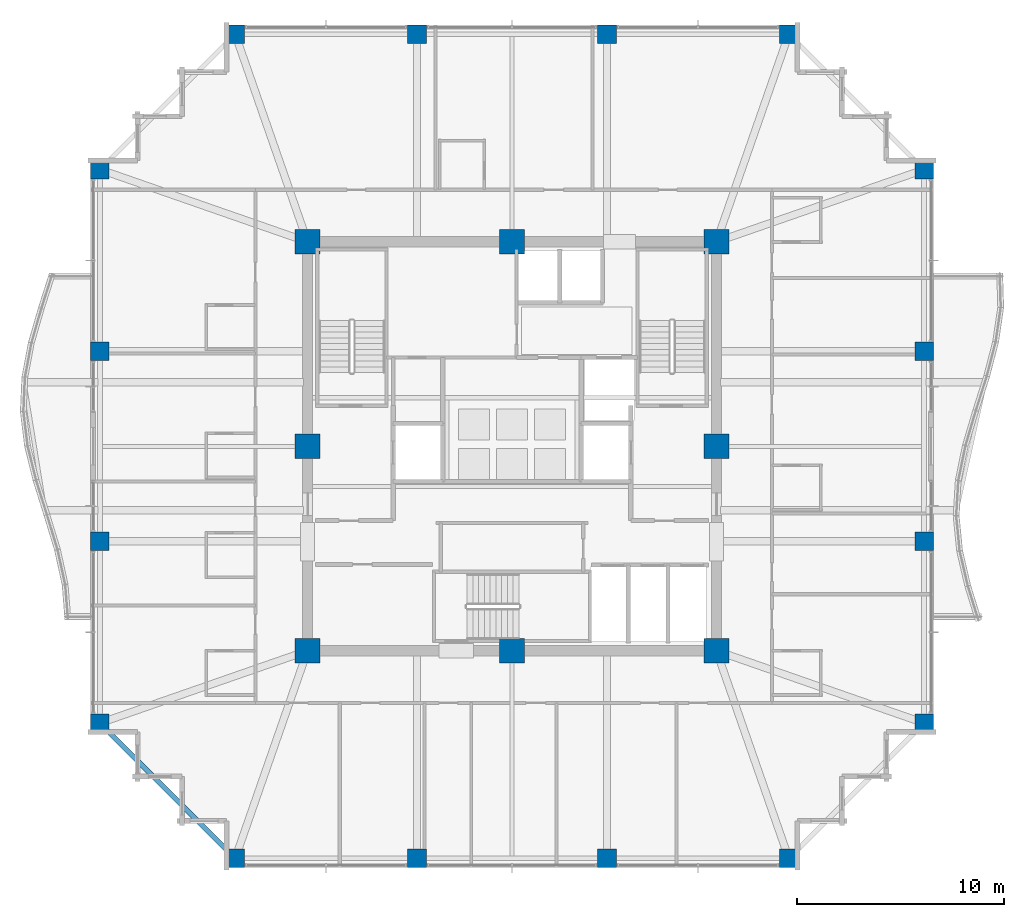
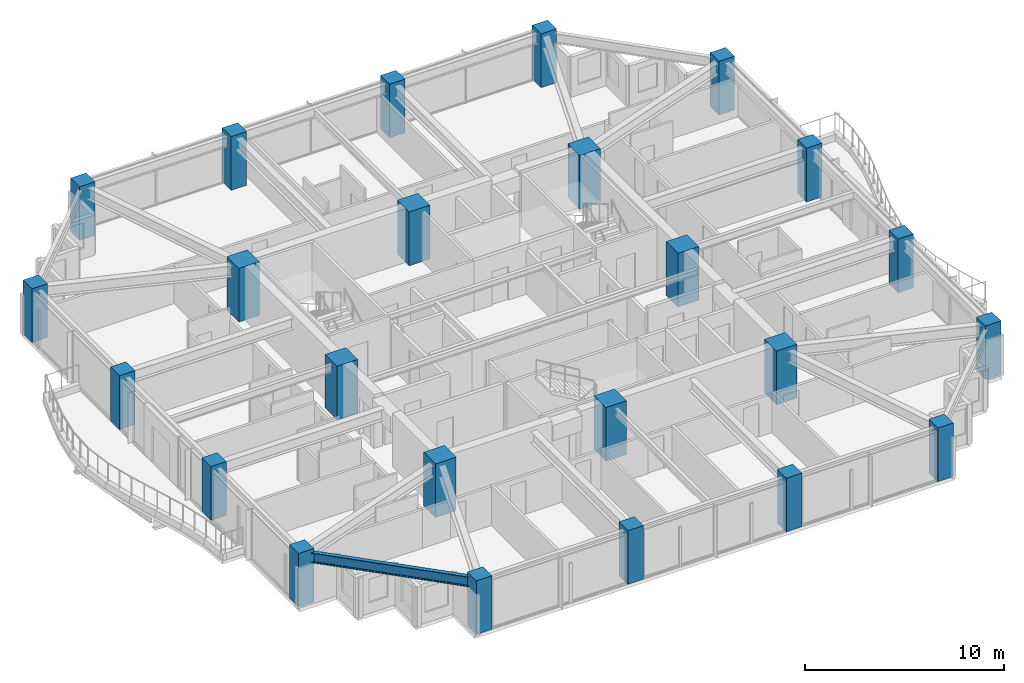
# One storey, part 1 of 34: 24 columns, 1 beam.
"""IFC4 building model written with IfcOpenShell, lengths in metres."""

from ifc_helpers import new_model, si_unit, direction, frame, origin, origin_2d, place, context, subcontext, project, spatial, rectangle, i_section, extrude, material, material_profile, profile_set, type_object, element, save


model = new_model("IFC4")

# Units and contexts
model_context = context("Model", 3, precision=1e-05, world=origin(), true_north=direction((0.0, 1.0)))
body_context = subcontext(model_context, "Body", "Model", "MODEL_VIEW")
ifc_project = project(units=[si_unit("LENGTHUNIT", "METRE"), si_unit("AREAUNIT", "SQUARE_METRE"), si_unit("VOLUMEUNIT", "CUBIC_METRE"), si_unit("PLANEANGLEUNIT", "RADIAN"), si_unit("MASSUNIT", "GRAM", prefix="KILO")], contexts=[model_context])

# Site, building, storey
site_placement = place(None, origin())
site = spatial("IfcSite", under=ifc_project, at=site_placement, CompositionType="ELEMENT")
building_placement = place(site_placement, origin())
building = spatial("IfcBuilding", under=site, at=building_placement, Name="Kolvaren Belvedere", CompositionType="ELEMENT")
storey_placement = place(building_placement, frame((0.0, 0.0, 189.89990234375)))
storey = spatial("IfcBuildingStorey", under=building, at=storey_placement, Name="L55", CompositionType="ELEMENT", Elevation=189.89990234375)

# Columns
ifc_material_1 = material(Name="Concrete C60/75", Category="concrete")
ifc_material_profile_1 = material_profile(ifc_material_1, rectangle(XDim=1.199951171875, YDim=1.199951171875, at=origin_2d()), Name="RC 1200X1200")
ifc_profile_set_1 = profile_set([ifc_material_profile_1], Name="Concrete C60/75")
column_type_1 = type_object("IfcColumnType", Name="COL-RC-1200", PredefinedType="COLUMN", material=ifc_profile_set_1)
for number, where, z_axis, x_axis, name in (
    (1, (-9.89990234375, -9.89990234375, 0.0), (0.0, 0.0, 1.0), (1.0, 0.0, 0.0), "L55 Core Column CC1"),
    (2, (9.89990234375, -9.89990234375, 0.0), (0.0, 0.0, 1.0), (1.0, 0.0, 0.0), "L55 Core Column CC2"),
    (3, (9.89990234375, 9.89990234375, 0.0), (0.0, 0.0, 1.0), (1.0, 0.0, 0.0), "L55 Core Column CC3"),
    (4, (-9.89990234375, 9.89990234375, 0.0), (0.0, 0.0, 1.0), (1.0, 0.0, 0.0), "L55 Core Column CC4"),
    (5, (0.0, -9.89990234375, 0.0), (0.0, 0.0, 1.0), (1.0, 0.0, 0.0), "L55 Core Column CM1"),
    (6, (9.89990234375, 0.0, 0.0), (0.0, 0.0, 1.0), (1.0, 0.0, 0.0), "L55 Core Column CM2"),
    (7, (0.0, 9.89990234375, 0.0), (0.0, 0.0, 1.0), (1.0, 0.0, 0.0), "L55 Core Column CM3"),
    (8, (-9.89990234375, 0.0, 0.0), (0.0, 0.0, 1.0), (1.0, 0.0, 0.0), "L55 Core Column CM4"),
):
    element("IfcColumn", number, at=place(storey_placement, frame(where, z_axis=z_axis, x_axis=x_axis)), inside=storey, type_object=column_type_1, Name=name, PredefinedType="COLUMN", context=body_context, shape_type="SweptSolid", body=[
        extrude(rectangle(XDim=1.199951171875, YDim=1.199951171875, at=origin_2d()), origin(), (0.0, 0.0, 1.0), 3.300048828125),
    ])
ifc_material_2 = material(Name="Concrete C50/60", Category="concrete")
ifc_material_profile_2 = material_profile(ifc_material_2, rectangle(XDim=0.89990234375, YDim=0.89990234375, at=origin_2d()), Name="RC 900X900")
ifc_profile_set_2 = profile_set([ifc_material_profile_2], Name="Concrete C50/60")
column_type_2 = type_object("IfcColumnType", Name="COL-RC-900", PredefinedType="COLUMN", material=ifc_profile_set_2)
for number, where, z_axis, x_axis, name in (
    (9, (-13.39990234375, -19.949951171875, 0.0), (0.0, 0.0, 1.0), (1.0, 0.0, 0.0), "L55 Perimeter Column S1"),
    (10, (-4.60009765625, -19.949951171875, 0.0), (0.0, 0.0, 1.0), (1.0, 0.0, 0.0), "L55 Perimeter Column S2"),
    (11, (4.60009765625, -19.949951171875, 0.0), (0.0, 0.0, 1.0), (1.0, 0.0, 0.0), "L55 Perimeter Column S3"),
    (12, (13.39990234375, -19.949951171875, 0.0), (0.0, 0.0, 1.0), (1.0, 0.0, 0.0), "L55 Perimeter Column S4"),
    (13, (-13.39990234375, 19.949951171875, 0.0), (0.0, 0.0, 1.0), (1.0, 0.0, 0.0), "L55 Perimeter Column N1"),
    (14, (-4.60009765625, 19.949951171875, 0.0), (0.0, 0.0, 1.0), (1.0, 0.0, 0.0), "L55 Perimeter Column N2"),
    (15, (4.60009765625, 19.949951171875, 0.0), (0.0, 0.0, 1.0), (1.0, 0.0, 0.0), "L55 Perimeter Column N3"),
    (16, (13.39990234375, 19.949951171875, 0.0), (0.0, 0.0, 1.0), (1.0, 0.0, 0.0), "L55 Perimeter Column N4"),
    (17, (-19.949951171875, -13.39990234375, 0.0), (0.0, 0.0, 1.0), (1.0, 0.0, 0.0), "L55 Perimeter Column W1"),
    (18, (-19.949951171875, -4.60009765625, 0.0), (0.0, 0.0, 1.0), (1.0, 0.0, 0.0), "L55 Perimeter Column W2"),
    (19, (-19.949951171875, 4.60009765625, 0.0), (0.0, 0.0, 1.0), (1.0, 0.0, 0.0), "L55 Perimeter Column W3"),
    (20, (-19.949951171875, 13.39990234375, 0.0), (0.0, 0.0, 1.0), (1.0, 0.0, 0.0), "L55 Perimeter Column W4"),
    (21, (19.949951171875, -13.39990234375, 0.0), (0.0, 0.0, 1.0), (1.0, 0.0, 0.0), "L55 Perimeter Column E1"),
    (22, (19.949951171875, -4.60009765625, 0.0), (0.0, 0.0, 1.0), (1.0, 0.0, 0.0), "L55 Perimeter Column E2"),
    (23, (19.949951171875, 4.60009765625, 0.0), (0.0, 0.0, 1.0), (1.0, 0.0, 0.0), "L55 Perimeter Column E3"),
    (24, (19.949951171875, 13.39990234375, 0.0), (0.0, 0.0, 1.0), (1.0, 0.0, 0.0), "L55 Perimeter Column E4"),
):
    element("IfcColumn", number, at=place(storey_placement, frame(where, z_axis=z_axis, x_axis=x_axis)), inside=storey, type_object=column_type_2, Name=name, PredefinedType="COLUMN", context=body_context, shape_type="SweptSolid", body=[
        extrude(rectangle(XDim=0.89990234375, YDim=0.89990234375, at=origin_2d()), origin(), (0.0, 0.0, 1.0), 3.300048828125),
    ])

# Beam
ifc_material_3 = material(Name="Structural steel ASTM A992 Grade 50", Category="steel")
ifc_material_profile_3 = material_profile(ifc_material_3, i_section(OverallWidth=0.22900390625, OverallDepth=0.612060546875, WebThickness=0.011962890625, FlangeThickness=0.01953125, FilletRadius=0.01806640625, at=origin_2d()), Name="W24X84")
ifc_profile_set_3 = profile_set([ifc_material_profile_3], Name="Structural steel ASTM A992 Grade 50")
beam_type = type_object("IfcBeamType", Name="BM-SPAN-W24X84", PredefinedType="SPANDREL", material=ifc_profile_set_3)
beam_placement = place(storey_placement, frame((-19.806884765625, -13.543212890625, 2.774169921875), z_axis=(0.707106781187, -0.707106781187, 0.0), x_axis=(0.707106781187, 0.707106781187, 0.0)))
element("IfcBeam", 25, at=beam_placement, inside=storey, type_object=beam_type, Name="L55 Perimeter Spandrel W1-S1", PredefinedType="SPANDREL", context=body_context, shape_type="SweptSolid", body=[
    extrude(i_section(OverallWidth=0.22900390625, OverallDepth=0.612060546875, WebThickness=0.011962890625, FlangeThickness=0.01953125, FilletRadius=0.01806640625, at=origin_2d()), origin(), (0.0, 0.0, 1.0), 8.858154296875),
])

save(model, "model.ifc")
